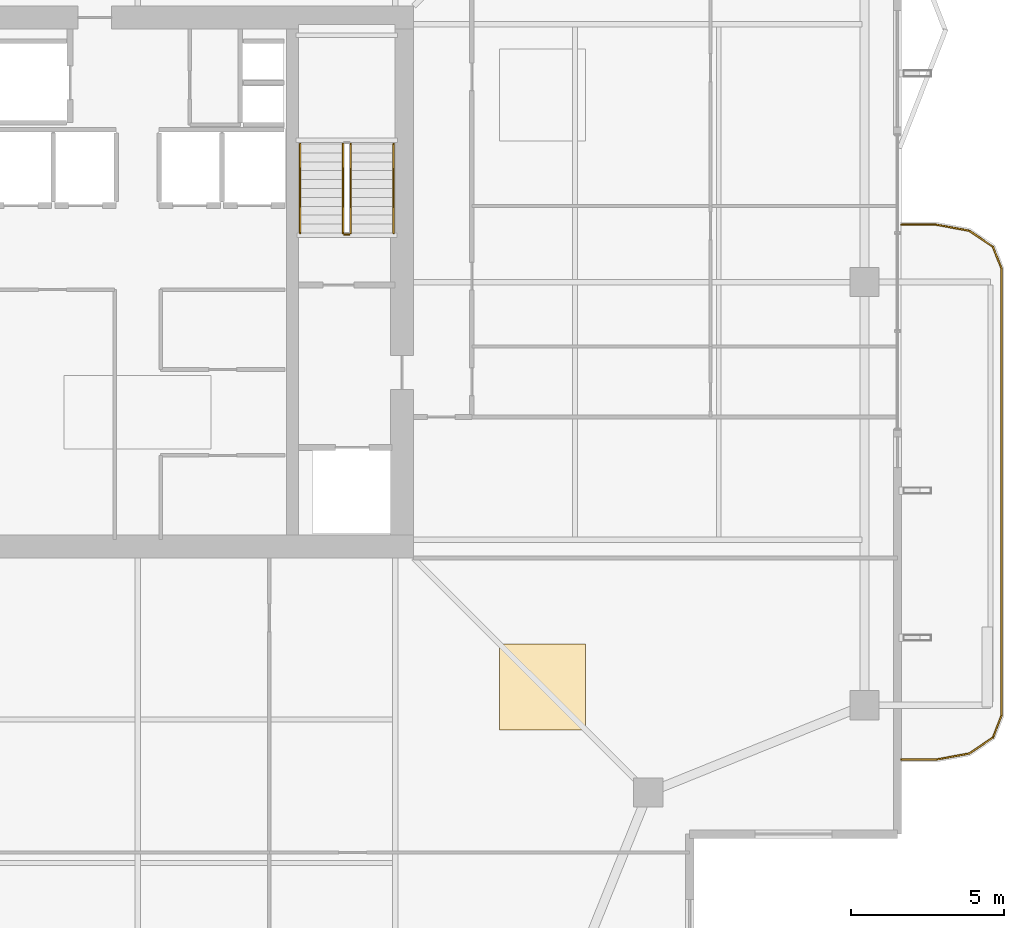
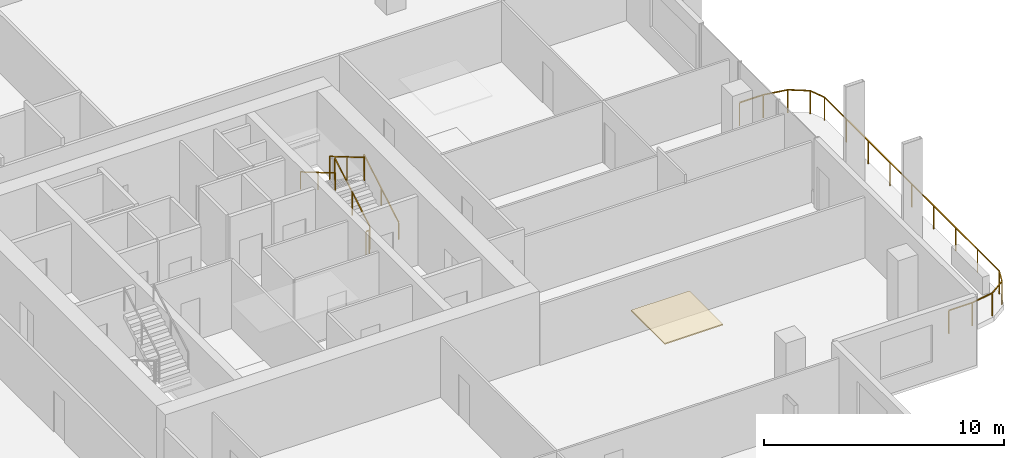
# One storey, part 23 of 25: 6 railings, 1 covering.
"""IFC4 building model written with IfcOpenShell, lengths in metres."""

from ifc_helpers import new_model, si_unit, direction, frame, origin, origin_2d, place, context, subcontext, project, spatial, polyline, rectangle, outline, extrude, material, layer, layer_set, type_object, element, save


model = new_model("IFC4")

# Units and contexts
model_context = context("Model", 3, precision=1e-05, world=origin(), true_north=direction((0.0, 1.0)))
body_context = subcontext(model_context, "Body", "Model", "MODEL_VIEW")
ifc_project = project(units=[si_unit("LENGTHUNIT", "METRE"), si_unit("AREAUNIT", "SQUARE_METRE"), si_unit("VOLUMEUNIT", "CUBIC_METRE"), si_unit("PLANEANGLEUNIT", "RADIAN"), si_unit("MASSUNIT", "GRAM", prefix="KILO")], contexts=[model_context])

# Site, building, storey
site_placement = place(None, origin())
site = spatial("IfcSite", under=ifc_project, at=site_placement, CompositionType="ELEMENT")
building_placement = place(site_placement, origin())
building = spatial("IfcBuilding", under=site, at=building_placement, Name="Belovzor Exchange Tower", CompositionType="ELEMENT")
storey_placement = place(building_placement, frame((0.0, 0.0, 265.35009765625)))
storey = spatial("IfcBuildingStorey", under=building, at=storey_placement, Name="L66", CompositionType="ELEMENT", Elevation=265.35009765625)

# Railings
ifc_material_1 = material(Name="Stainless Steel Grade 304", Category="steel")
railing_type_1 = type_object("IfcRailingType", Name="Brushed Stainless Steel Stair Handrail 900", PredefinedType="HANDRAIL", material=ifc_material_1)
railing_1_placement = place(storey_placement, frame((37.14990234375, 30.39990234375, 0.17041015625)))
element("IfcRailing", 1, at=railing_1_placement, inside=storey, type_object=railing_type_1, Name="L66 ST-2 stair handrail 1", PredefinedType="HANDRAIL", context=body_context, shape_type="SweptSolid", body=[
    extrude(rectangle(XDim=0.048095703125, YDim=0.048095703125, at=origin_2d()), frame((0.0, 0.0, 0.8759765625), z_axis=(0.0, 0.862113265706, 0.506715617574), x_axis=(-1.0, 0.0, 0.0)), (0.0, 0.0, 1.0), 3.364013671875),
    extrude(rectangle(XDim=0.0419921875, YDim=0.0419921875, at=origin_2d()), origin(), (0.0, 0.0, 1.0), 0.851806640625),
    extrude(rectangle(XDim=0.0419921875, YDim=0.0419921875, at=origin_2d()), frame((0.0, 1.4501953125, 0.852294921875)), (0.0, 0.0, 1.0), 0.851806640625),
    extrude(rectangle(XDim=0.0419921875, YDim=0.0419921875, at=origin_2d()), frame((0.0, 2.900146484375, 1.70458984375)), (0.0, 0.0, 1.0), 0.851806640625),
])
railing_2_placement = place(storey_placement, frame((34.10009765625, 33.300048828125, 2.04541015625)))
element("IfcRailing", 2, at=railing_2_placement, inside=storey, type_object=railing_type_1, Name="L66 ST-2 stair handrail 2", PredefinedType="HANDRAIL", context=body_context, shape_type="SweptSolid", body=[
    extrude(rectangle(XDim=0.048095703125, YDim=0.048095703125, at=origin_2d()), frame((0.0, 0.0, 0.8759765625), z_axis=(0.0, -0.862113265706, 0.506715617574), x_axis=(1.0, 0.0, 0.0)), (0.0, 0.0, 1.0), 3.364013671875),
    extrude(rectangle(XDim=0.0419921875, YDim=0.0419921875, at=origin_2d()), origin(), (0.0, 0.0, 1.0), 0.851806640625),
    extrude(rectangle(XDim=0.0419921875, YDim=0.0419921875, at=origin_2d()), frame((0.0, -1.4501953125, 0.852294921875)), (0.0, 0.0, 1.0), 0.851806640625),
    extrude(rectangle(XDim=0.0419921875, YDim=0.0419921875, at=origin_2d()), frame((0.0, -2.900146484375, 1.70458984375)), (0.0, 0.0, 1.0), 0.851806640625),
])
ifc_material_2 = material(Name="Stainless Steel and Laminated Safety Glass", Category="steel")
railing_type_2 = type_object("IfcRailingType", Name="Laminated Glass & Stainless Steel Balcony Balustrade 1200", PredefinedType="BALUSTRADE", material=ifc_material_2)
railing_3_placement = place(storey_placement, frame((53.7099609375, 13.22998046875, 0.0)))
element("IfcRailing", 3, at=railing_3_placement, inside=storey, type_object=railing_type_2, Name="GR-1 Balcony Balustrade L66 East", PredefinedType="BALUSTRADE", context=body_context, shape_type="SweptSolid", body=[
    extrude(rectangle(XDim=0.048095703125, YDim=0.048095703125, at=origin_2d()), frame((0.0, 0.0, 1.17578125), z_axis=(1.0, 0.0, 0.0), x_axis=(0.0, 1.0, 0.0)), (0.0, 0.0, 1.0), 1.133056640625),
    extrude(rectangle(XDim=0.048095703125, YDim=0.048095703125, at=origin_2d()), frame((1.133056640625, 0.0, 1.17578125), z_axis=(0.983644145941, 0.180122719713, 0.0), x_axis=(-0.180122719713, 0.983644145941, 0.0)), (0.0, 0.0, 1.0), 1.09375),
    extrude(rectangle(XDim=0.048095703125, YDim=0.048095703125, at=origin_2d()), frame((2.208984375, 0.197021484375, 1.17578125), z_axis=(0.826614792125, 0.562768145367, 0.0), x_axis=(-0.562768145367, 0.826614792125, 0.0)), (0.0, 0.0, 1.0), 0.9326171875),
    extrude(rectangle(XDim=0.048095703125, YDim=0.048095703125, at=origin_2d()), frame((2.97998046875, 0.721923828125, 1.17578125), z_axis=(0.365504480807, 0.930809580156, 0.0), x_axis=(-0.930809580156, 0.365504480807, 0.0)), (0.0, 0.0, 1.0), 0.76611328125),
    extrude(rectangle(XDim=0.048095703125, YDim=0.048095703125, at=origin_2d()), frame((3.260009765625, 1.43505859375, 1.17578125), z_axis=(0.0, 1.0, 0.0), x_axis=(-1.0, 0.0, 0.0)), (0.0, 0.0, 1.0), 14.570068359375),
    extrude(rectangle(XDim=0.048095703125, YDim=0.048095703125, at=origin_2d()), frame((3.260009765625, 16.005126953125, 1.17578125), z_axis=(-0.365612923861, 0.930766990125, 0.0), x_axis=(-0.930766990125, -0.365612923861, 0.0)), (0.0, 0.0, 1.0), 0.765869140625),
    extrude(rectangle(XDim=0.048095703125, YDim=0.048095703125, at=origin_2d()), frame((2.97998046875, 16.718017578125, 1.17578125), z_axis=(-0.826614792125, 0.562768145367, 0.0), x_axis=(-0.562768145367, -0.826614792125, 0.0)), (0.0, 0.0, 1.0), 0.9326171875),
    extrude(rectangle(XDim=0.048095703125, YDim=0.048095703125, at=origin_2d()), frame((2.208984375, 17.242919921875, 1.17578125), z_axis=(-0.983644145941, 0.180122719713, 0.0), x_axis=(-0.180122719713, -0.983644145941, 0.0)), (0.0, 0.0, 1.0), 1.09375),
    extrude(rectangle(XDim=0.048095703125, YDim=0.048095703125, at=origin_2d()), frame((1.133056640625, 17.43994140625, 1.17578125), z_axis=(-1.0, 0.0, 0.0), x_axis=(0.0, -1.0, 0.0)), (0.0, 0.0, 1.0), 1.133056640625),
    extrude(rectangle(XDim=0.0419921875, YDim=0.0419921875, at=origin_2d()), origin(), (0.0, 0.0, 1.0), 1.15185546875),
    extrude(rectangle(XDim=0.0419921875, YDim=0.0419921875, at=origin_2d()), frame((1.133056640625, 0.0, 0.0)), (0.0, 0.0, 1.0), 1.15185546875),
    extrude(rectangle(XDim=0.0419921875, YDim=0.0419921875, at=origin_2d()), frame((2.208984375, 0.197021484375, 0.0)), (0.0, 0.0, 1.0), 1.15185546875),
    extrude(rectangle(XDim=0.0419921875, YDim=0.0419921875, at=origin_2d()), frame((2.97998046875, 0.721923828125, 0.0)), (0.0, 0.0, 1.0), 1.15185546875),
    extrude(rectangle(XDim=0.0419921875, YDim=0.0419921875, at=origin_2d()), frame((3.260009765625, 1.43505859375, 0.0)), (0.0, 0.0, 1.0), 1.15185546875),
    extrude(rectangle(XDim=0.0419921875, YDim=0.0419921875, at=origin_2d()), frame((3.260009765625, 3.25634765625, 0.0)), (0.0, 0.0, 1.0), 1.15185546875),
    extrude(rectangle(XDim=0.0419921875, YDim=0.0419921875, at=origin_2d()), frame((3.260009765625, 5.07763671875, 0.0)), (0.0, 0.0, 1.0), 1.15185546875),
    extrude(rectangle(XDim=0.0419921875, YDim=0.0419921875, at=origin_2d()), frame((3.260009765625, 6.89892578125, 0.0)), (0.0, 0.0, 1.0), 1.15185546875),
    extrude(rectangle(XDim=0.0419921875, YDim=0.0419921875, at=origin_2d()), frame((3.260009765625, 8.72021484375, 0.0)), (0.0, 0.0, 1.0), 1.15185546875),
    extrude(rectangle(XDim=0.0419921875, YDim=0.0419921875, at=origin_2d()), frame((3.260009765625, 10.541259765625, 0.0)), (0.0, 0.0, 1.0), 1.15185546875),
    extrude(rectangle(XDim=0.0419921875, YDim=0.0419921875, at=origin_2d()), frame((3.260009765625, 12.362548828125, 0.0)), (0.0, 0.0, 1.0), 1.15185546875),
    extrude(rectangle(XDim=0.0419921875, YDim=0.0419921875, at=origin_2d()), frame((3.260009765625, 14.183837890625, 0.0)), (0.0, 0.0, 1.0), 1.15185546875),
    extrude(rectangle(XDim=0.0419921875, YDim=0.0419921875, at=origin_2d()), frame((3.260009765625, 16.005126953125, 0.0)), (0.0, 0.0, 1.0), 1.15185546875),
    extrude(rectangle(XDim=0.0419921875, YDim=0.0419921875, at=origin_2d()), frame((2.97998046875, 16.718017578125, 0.0)), (0.0, 0.0, 1.0), 1.15185546875),
    extrude(rectangle(XDim=0.0419921875, YDim=0.0419921875, at=origin_2d()), frame((2.208984375, 17.242919921875, 0.0)), (0.0, 0.0, 1.0), 1.15185546875),
    extrude(rectangle(XDim=0.0419921875, YDim=0.0419921875, at=origin_2d()), frame((1.133056640625, 17.43994140625, 0.0)), (0.0, 0.0, 1.0), 1.15185546875),
    extrude(rectangle(XDim=0.0419921875, YDim=0.0419921875, at=origin_2d()), frame((0.0, 17.43994140625, 0.0)), (0.0, 0.0, 1.0), 1.15185546875),
])
ifc_material_3 = material(Name="Steel S355", Category="steel")
railing_type_3 = type_object("IfcRailingType", Name="Painted Steel Stairwell Guardrail 1200", PredefinedType="GUARDRAIL", material=ifc_material_3)
railing_4_placement = place(storey_placement, frame((35.75, 30.39990234375, 0.17041015625)))
element("IfcRailing", 4, at=railing_4_placement, inside=storey, type_object=railing_type_3, Name="L66 ST-2 stair guard 1", PredefinedType="GUARDRAIL", context=body_context, shape_type="SweptSolid", body=[
    extrude(rectangle(XDim=0.048095703125, YDim=0.048095703125, at=origin_2d()), frame((0.0, 0.0, 1.17578125), z_axis=(0.0, 0.862113265706, 0.506715617574), x_axis=(-1.0, 0.0, 0.0)), (0.0, 0.0, 1.0), 3.364013671875),
    extrude(rectangle(XDim=0.0419921875, YDim=0.0419921875, at=origin_2d()), origin(), (0.0, 0.0, 1.0), 1.15185546875),
    extrude(rectangle(XDim=0.0419921875, YDim=0.0419921875, at=origin_2d()), frame((0.0, 1.4501953125, 0.852294921875)), (0.0, 0.0, 1.0), 1.15185546875),
    extrude(rectangle(XDim=0.0419921875, YDim=0.0419921875, at=origin_2d()), frame((0.0, 2.900146484375, 1.70458984375)), (0.0, 0.0, 1.0), 1.15185546875),
])
railing_5_placement = place(storey_placement, frame((35.5, 33.300048828125, 2.04541015625)))
element("IfcRailing", 5, at=railing_5_placement, inside=storey, type_object=railing_type_3, Name="L66 ST-2 stair guard 3", PredefinedType="GUARDRAIL", context=body_context, shape_type="SweptSolid", body=[
    extrude(rectangle(XDim=0.048095703125, YDim=0.048095703125, at=origin_2d()), frame((0.0, 0.0, 1.17578125), z_axis=(0.0, -0.862113265706, 0.506715617574), x_axis=(1.0, 0.0, 0.0)), (0.0, 0.0, 1.0), 3.364013671875),
    extrude(rectangle(XDim=0.0419921875, YDim=0.0419921875, at=origin_2d()), origin(), (0.0, 0.0, 1.0), 1.15185546875),
    extrude(rectangle(XDim=0.0419921875, YDim=0.0419921875, at=origin_2d()), frame((0.0, -1.4501953125, 0.852294921875)), (0.0, 0.0, 1.0), 1.15185546875),
    extrude(rectangle(XDim=0.0419921875, YDim=0.0419921875, at=origin_2d()), frame((0.0, -2.900146484375, 1.70458984375)), (0.0, 0.0, 1.0), 1.15185546875),
])
railing_6_placement = place(storey_placement, frame((35.699951171875, 30.35009765625, 0.0)))
element("IfcRailing", 6, at=railing_6_placement, inside=storey, type_object=railing_type_3, Name="L66 ST-2 stair guard 4", PredefinedType="GUARDRAIL", context=body_context, shape_type="SweptSolid", body=[
    extrude(rectangle(XDim=0.048095703125, YDim=0.048095703125, at=origin_2d()), frame((0.0, 0.0, 1.17578125), z_axis=(-1.0, 0.0, 0.0), x_axis=(0.0, -1.0, 0.0)), (0.0, 0.0, 1.0), 0.14990234375),
    extrude(rectangle(XDim=0.0419921875, YDim=0.0419921875, at=origin_2d()), origin(), (0.0, 0.0, 1.0), 1.15185546875),
    extrude(rectangle(XDim=0.0419921875, YDim=0.0419921875, at=origin_2d()), frame((-0.14990234375, 0.0, 0.0)), (0.0, 0.0, 1.0), 1.15185546875),
])

# Covering
ifc_material_4 = material(Name="Perforated Powder-Coated Aluminium", Category="aluminium")
ifc_layer = layer(ifc_material_4, 0.06005859375)
ifc_layer_set = layer_set([ifc_layer], Name="Perforated Powder-Coated Aluminium")
covering_type = type_object("IfcCoveringType", Name="Perforated Acoustic Metal Tile Suspended Ceiling 60", PredefinedType="CEILING", material=ifc_layer_set)
covering_placement = place(storey_placement, frame((0.0, 0.0, 3.43994140625)))
element("IfcCovering", 7, at=covering_placement, inside=storey, type_object=covering_type, Name="CLG-AC60 Suspended Ceiling CLG-L66-Z1", PredefinedType="CEILING", context=body_context, shape_type="SweptSolid", body=[
    extrude(outline(polyline([(40.60009765625, 14.199951171875), (43.39990234375, 14.199951171875), (43.39990234375, 17.0), (40.60009765625, 17.0), (40.60009765625, 14.199951171875)])), origin(), (0.0, 0.0, 1.0), 0.06005859375),
])

save(model, "model.ifc")
